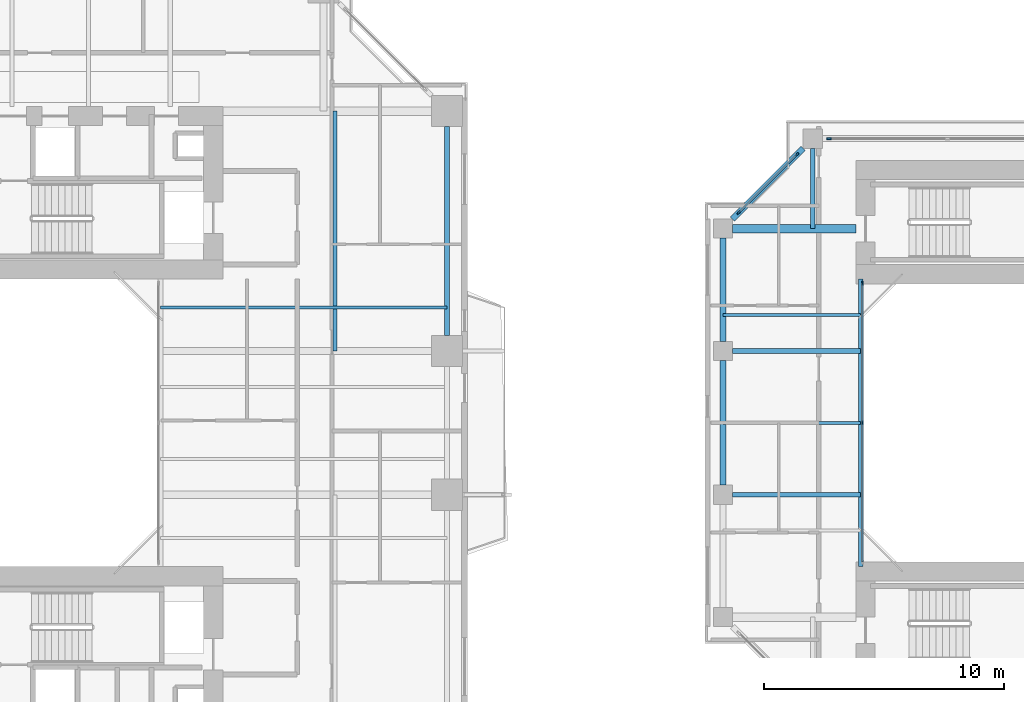
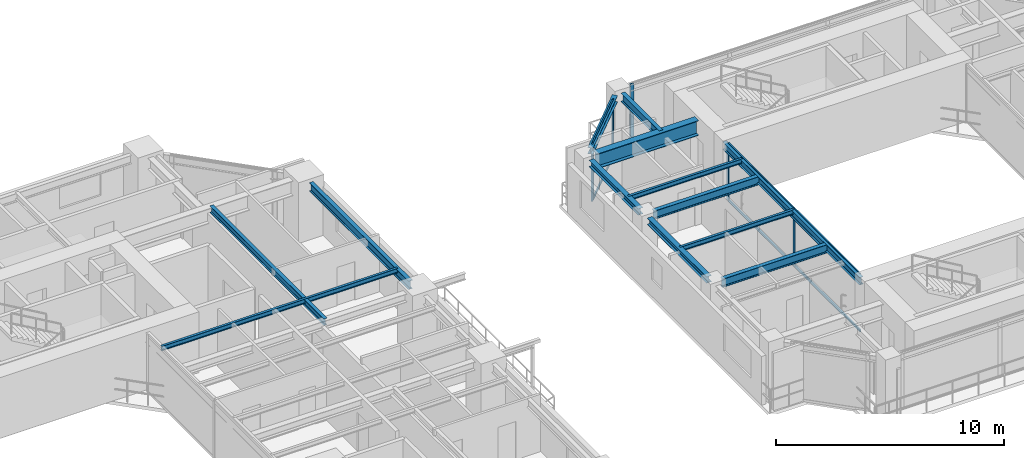
# One storey, part 8 of 23: 13 beams, 11 members, 3 elements without a shape of their own.
"""IFC4 building model written with IfcOpenShell, lengths in metres."""

import ifcopenshell
import ifcopenshell.guid

model = None  # the IFC model being written
_history = None  # IfcOwnerHistory: only IFC2X3 demands one
_inside = {}  # id of a spatial element -> (the spatial element, [elements in it])
_under = {}  # id of a project, library or spatial element -> (it, [spatial elements below it])
_declared = {}  # id of a project -> (the project, [libraries it declares])
_typed = {}  # id of a type object -> (the type object, [elements of that type])
_made_of = {}  # id of a material, layer set ... -> (it, [elements and type objects made of it])


def new_model(schema):
    """Start an empty IFC model of exactly this schema.

    Asked for "IFC4X3", IfcOpenShell would pick the latest addendum, in which some entities
    have other attributes; the version numbers below select the first issue.
    IFC2X3 requires an IfcOwnerHistory on every rooted entity: one is made here for all.
    """
    global model, _history
    if schema == "IFC4X3":
        model = ifcopenshell.file(schema_version=(4, 3, 0, 0))
    else:
        model = ifcopenshell.file(schema=schema)
    _inside.clear()
    _under.clear()
    _declared.clear()
    _typed.clear()
    _made_of.clear()
    _history = None
    if model.schema == "IFC2X3":
        org = make("IfcOrganization", Name="unknown")
        user = make(
            "IfcPersonAndOrganization",
            ThePerson=make("IfcPerson", FamilyName="unknown"),
            TheOrganization=org,
        )
        app = make(
            "IfcApplication",
            ApplicationDeveloper=org,
            Version="unknown",
            ApplicationFullName="unknown",
            ApplicationIdentifier="unknown",
        )
        _history = make(
            "IfcOwnerHistory",
            OwningUser=user,
            OwningApplication=app,
            ChangeAction="ADDED",
            CreationDate=0,
        )
    return model


def make(cls, **values):
    """One entity of the class cls with the attributes given. An attribute that is None is left unset."""
    return model.create_entity(
        cls, **{name: value for name, value in values.items() if value is not None}
    )


def rooted(cls, **values):
    """An entity with a GlobalId (a new one), such as an element, a storey or a relation."""
    return make(cls, GlobalId=ifcopenshell.guid.new(), OwnerHistory=_history, **values)


def si_unit(unit_type, name, prefix=None):
    """IfcSIUnit, for example si_unit("LENGTHUNIT", "METRE", prefix="MILLI")."""
    return make("IfcSIUnit", UnitType=unit_type, Prefix=prefix, Name=name)


def assignment(units):
    """IfcUnitAssignment: the units of a project."""
    return None if units is None else make("IfcUnitAssignment", Units=units)


def point(xyz):
    """IfcCartesianPoint."""
    return None if xyz is None else make("IfcCartesianPoint", Coordinates=xyz)


def direction(xyz):
    """IfcDirection."""
    return None if xyz is None else make("IfcDirection", DirectionRatios=xyz)


def frame(location, z_axis=None, x_axis=None):
    """IfcAxis2Placement3D, a coordinate frame: its origin and axes. An axis left out is left unset."""
    return make(
        "IfcAxis2Placement3D",
        Location=point(location),
        Axis=direction(z_axis),
        RefDirection=direction(x_axis),
    )


def frame_2d(location, x_axis=None):
    """IfcAxis2Placement2D, a coordinate frame in the plane: its origin and x axis."""
    return make(
        "IfcAxis2Placement2D", Location=point(location), RefDirection=direction(x_axis)
    )


def origin():
    """The frame at (0, 0, 0) with its axes left unset."""
    return frame((0.0, 0.0, 0.0))


def origin_2d():
    """The frame at (0, 0) in the plane with its x axis left unset."""
    return frame_2d((0.0, 0.0))


def place(relative_to, where):
    """IfcLocalPlacement: puts the frame where relative to a parent placement (None: the world)."""
    return make(
        "IfcLocalPlacement", PlacementRelTo=relative_to, RelativePlacement=where
    )


def context(
    kind, dimensions, precision=None, world=None, true_north=None, identifier=None
):
    """IfcGeometricRepresentationContext, for example the 3D "Model" context."""
    return make(
        "IfcGeometricRepresentationContext",
        ContextIdentifier=identifier,
        ContextType=kind,
        CoordinateSpaceDimension=dimensions,
        Precision=precision,
        WorldCoordinateSystem=world,
        TrueNorth=true_north,
    )


def subcontext(parent, identifier, kind, view, scale=None):
    """IfcGeometricRepresentationSubContext, for example "Body" below "Model"."""
    return make(
        "IfcGeometricRepresentationSubContext",
        ContextIdentifier=identifier,
        ContextType=kind,
        ParentContext=parent,
        TargetScale=scale,
        TargetView=view,
    )


def project(units=None, contexts=None):
    """IfcProject with its units and contexts."""
    return rooted(
        "IfcProject",
        Name="project",
        RepresentationContexts=contexts,
        UnitsInContext=assignment(units),
    )


def spatial(cls, under=None, at=None, **own):
    """A site, building, storey or space (cls), placed at a placement, below another one or the project."""
    s = rooted(cls, ObjectPlacement=at, **own)
    if under is not None:
        _under.setdefault(under.id(), (under, []))[1].append(s)
    return s


def profile(cls, at=None, kind="AREA", **sizes):
    """A parametric profile (cls). Its sizes go by their IFC names, for example OverallWidth=200.0."""
    return make(cls, ProfileType=kind, Position=at, **sizes)


def rectangle(**sizes):
    """IfcRectangleProfileDef."""
    return profile("IfcRectangleProfileDef", **sizes)


def i_section(**sizes):
    """IfcIShapeProfileDef."""
    return profile("IfcIShapeProfileDef", **sizes)


def extrude(swept, where, along, depth):
    """IfcExtrudedAreaSolid: the profile swept, set in the frame where, extruded along a direction by depth."""
    return make(
        "IfcExtrudedAreaSolid",
        SweptArea=swept,
        Position=where,
        ExtrudedDirection=direction(along),
        Depth=depth,
    )


def shape(context_of_items, identifier, shape_type, items):
    """IfcShapeRepresentation: the items that make up one representation, for example the "Body"."""
    return make(
        "IfcShapeRepresentation",
        ContextOfItems=context_of_items,
        RepresentationIdentifier=identifier,
        RepresentationType=shape_type,
        Items=items,
    )


def source(mapping_origin, context_of_items, identifier, shape_type, items):
    """IfcRepresentationMap: a shape defined once, which mapped items show again and again."""
    return make(
        "IfcRepresentationMap",
        MappingOrigin=mapping_origin,
        MappedRepresentation=shape(context_of_items, identifier, shape_type, items),
    )


def transform(
    local_origin,
    x_axis=None,
    y_axis=None,
    z_axis=None,
    scale=None,
    scale2=None,
    scale3=None,
    uniform=True,
):
    """IfcCartesianTransformationOperator3D, or its non-uniform kind. x_axis, y_axis, z_axis: its Axis1, 2, 3."""
    if uniform:
        return make(
            "IfcCartesianTransformationOperator3D",
            Axis1=direction(x_axis),
            Axis2=direction(y_axis),
            LocalOrigin=point(local_origin),
            Scale=scale,
            Axis3=direction(z_axis),
        )
    return make(
        "IfcCartesianTransformationOperator3DnonUniform",
        Axis1=direction(x_axis),
        Axis2=direction(y_axis),
        LocalOrigin=point(local_origin),
        Scale=scale,
        Axis3=direction(z_axis),
        Scale2=scale2,
        Scale3=scale3,
    )


def mapped(mapping_source, mapping_target):
    """IfcMappedItem: shows the shape of a source again, moved by a transform."""
    return make(
        "IfcMappedItem", MappingSource=mapping_source, MappingTarget=mapping_target
    )


def material(Name=None, Category=None):
    """IfcMaterial."""
    return make("IfcMaterial", Name=Name, Category=Category)


def layer(
    of_material, thickness, ventilated=None, Name=None, Category=None, Priority=None
):
    """IfcMaterialLayer: one layer of a wall or slab, of a material (None: an air gap)."""
    return make(
        "IfcMaterialLayer",
        Material=of_material,
        LayerThickness=thickness,
        IsVentilated=ventilated,
        Name=Name,
        Category=Category,
        Priority=Priority,
    )


def layer_set(layers, Name=None):
    """IfcMaterialLayerSet."""
    return make("IfcMaterialLayerSet", MaterialLayers=layers, LayerSetName=Name)


def material_profile(
    of_material, cross_section, Name=None, Category=None, Priority=None
):
    """IfcMaterialProfile: a cross section and its material."""
    return make(
        "IfcMaterialProfile",
        Name=Name,
        Material=of_material,
        Profile=cross_section,
        Priority=Priority,
        Category=Category,
    )


def profile_set(profiles, Name=None, composite=None):
    """IfcMaterialProfileSet."""
    return make(
        "IfcMaterialProfileSet",
        Name=Name,
        MaterialProfiles=profiles,
        CompositeProfile=composite,
    )


def made_of(thing, what):
    """Note that an element or type object is made of a material, layer set ...; save() writes the relation."""
    if what is not None:
        _made_of.setdefault(what.id(), (what, []))[1].append(thing)
    return thing


def type_object(cls, material=None, **own):
    """A type object (cls), such as IfcWallType, which elements share."""
    return made_of(rooted(cls, **own), material)


def element(
    cls,
    number,
    at=None,
    inside=None,
    cuts=None,
    type_object=None,
    material=None,
    context=None,
    identifier="Body",
    shape_type=None,
    held_by="IfcProductDefinitionShape",
    body=None,
    shapes=None,
    **own,
):
    """One element of the class cls, such as IfcWall. Its Tag is "e" and its number.

    at: its placement. inside: the storey or other place that contains it. cuts: it is an
    opening in that element (IfcRelVoidsElement). A single representation is given by context,
    identifier, shape_type and body (its items); several are given by shapes. held_by: the class
    of the entity that holds the representations. save() writes the other relations.
    """
    e = rooted(cls, Tag="e%d" % number, ObjectPlacement=at, **own)
    if body is not None:
        shapes = [shape(context, identifier, shape_type, body)]
    if shapes is not None:
        e.Representation = make(held_by, Representations=shapes)
    if inside is not None:
        _inside.setdefault(inside.id(), (inside, []))[1].append(e)
    if cuts is not None:
        rooted(
            "IfcRelVoidsElement", RelatingBuildingElement=cuts, RelatedOpeningElement=e
        )
    if type_object is not None:
        _typed.setdefault(type_object.id(), (type_object, []))[1].append(e)
    return made_of(e, material)


def aggregate(whole, parts):
    """IfcRelAggregates: a whole, such as a stair, and the parts it consists of."""
    return rooted("IfcRelAggregates", RelatingObject=whole, RelatedObjects=parts)


def save(model, path):
    """Write the relations noted so far, then the file.

    IfcRelAggregates (storeys below a building ...), IfcRelContainedInSpatialStructure (elements
    in a storey), IfcRelDefinesByType, IfcRelAssociatesMaterial and IfcRelDeclares: one each for
    every whole, place, type object, material and project.
    """
    for whole, parts in _under.values():
        aggregate(whole, parts)
    for where, things in _inside.values():
        rooted(
            "IfcRelContainedInSpatialStructure",
            RelatedElements=things,
            RelatingStructure=where,
        )
    for kind, things in _typed.values():
        rooted("IfcRelDefinesByType", RelatedObjects=things, RelatingType=kind)
    for what, things in _made_of.values():
        rooted("IfcRelAssociatesMaterial", RelatedObjects=things, RelatingMaterial=what)
    for by, libraries in _declared.values():
        rooted("IfcRelDeclares", RelatingContext=by, RelatedDefinitions=libraries)
    model.write(path)


model = new_model("IFC4")

# Units and contexts
model_context = context("Model", 3, precision=1e-05, world=origin(), true_north=direction((0.0, 1.0)))
body_context = subcontext(model_context, "Body", "Model", "MODEL_VIEW")
ifc_project = project(units=[si_unit("LENGTHUNIT", "METRE"), si_unit("AREAUNIT", "SQUARE_METRE"), si_unit("VOLUMEUNIT", "CUBIC_METRE"), si_unit("PLANEANGLEUNIT", "RADIAN"), si_unit("MASSUNIT", "GRAM", prefix="KILO"), si_unit("THERMODYNAMICTEMPERATUREUNIT", "KELVIN"), si_unit("POWERUNIT", "WATT")], contexts=[model_context])

# Site, building, storey
site_placement = place(None, origin())
site = spatial("IfcSite", under=ifc_project, at=site_placement, CompositionType="ELEMENT")
building_placement = place(site_placement, origin())
building = spatial("IfcBuilding", under=site, at=building_placement, Name="Qiaomeng Ring Towers", CompositionType="ELEMENT")
storey_placement = place(building_placement, frame((0.0, 0.0, 86.0)))
storey = spatial("IfcBuildingStorey", under=building, at=storey_placement, Name="L24", CompositionType="ELEMENT", Elevation=86.0)

# Beams
ifc_material_1 = material(Name="Steel Q355B", Category="steel")
ifc_material_profile_1 = material_profile(ifc_material_1, i_section(OverallWidth=0.199951171875, OverallDepth=0.449951171875, WebThickness=0.009033203125, FlangeThickness=0.013916015625, FilletRadius=0.01806640625, at=origin_2d()), Name="HN 450x200x9x14")
ifc_profile_set_1 = profile_set([ifc_material_profile_1], Name="Steel Q355B")
beam_type_1 = type_object("IfcBeamType", Name="STR-BM-HN450", PredefinedType="SPANDREL", material=ifc_profile_set_1)
shared_shape_1 = source(origin(), body_context, "Body", "SweptSolid", [
    extrude(i_section(OverallWidth=0.199951171875, OverallDepth=0.449951171875, WebThickness=0.009033203125, FlangeThickness=0.013916015625, FilletRadius=0.01806640625, at=origin_2d()), origin(), (0.0, 0.0, 1.0), 8.7021484375),
])
beam_1_placement = place(storey_placement, frame((37.14990234375, 26.64892578125, 2.844970703125), z_axis=(0.0, 1.0, 0.0), x_axis=(-1.0, 0.0, 0.0)))
element("IfcBeam", 1, at=beam_1_placement, inside=storey, type_object=beam_type_1, Name="L24 beam STR-SP-L24-T1-E3-E4", PredefinedType="SPANDREL", context=body_context, shape_type="MappedRepresentation", body=[
    mapped(shared_shape_1, transform((0.0, 0.0, 0.0), x_axis=(1.0, 0.0, 0.0), y_axis=(0.0, 1.0, 0.0), z_axis=(0.0, 0.0, 1.0), scale=1.0)),
])
ifc_material_profile_2 = material_profile(ifc_material_1, i_section(OverallWidth=0.199951171875, OverallDepth=0.39990234375, WebThickness=0.008056640625, FlangeThickness=0.012939453125, FilletRadius=0.01611328125, at=origin_2d()), Name="HN 400x200x8x13")
ifc_profile_set_2 = profile_set([ifc_material_profile_2], Name="Steel Q355B")
beam_type_2 = type_object("IfcBeamType", Name="STR-BM-HN400", PredefinedType="SPANDREL", material=ifc_profile_set_2)
shared_shape_2 = source(origin(), body_context, "Body", "SweptSolid", [
    extrude(i_section(OverallWidth=0.199951171875, OverallDepth=0.39990234375, WebThickness=0.008056640625, FlangeThickness=0.012939453125, FilletRadius=0.01611328125, at=origin_2d()), origin(), (0.0, 0.0, 1.0), 12.0),
])
beam_2_placement = place(storey_placement, frame((54.39990234375, 17.0, 2.8701171875), z_axis=(0.0, 1.0, 0.0), x_axis=(-1.0, 0.0, 0.0)))
element("IfcBeam", 2, at=beam_2_placement, inside=storey, type_object=beam_type_2, Name="L24 beam STR-BM-L24-T2-WELL-W", PredefinedType="SPANDREL", context=body_context, shape_type="MappedRepresentation", body=[
    mapped(shared_shape_2, transform((0.0, 0.0, 0.0), x_axis=(1.0, 0.0, 0.0), y_axis=(0.0, 1.0, 0.0), z_axis=(0.0, 0.0, 1.0), scale=1.0)),
])
ifc_material_profile_3 = material_profile(ifc_material_1, i_section(OverallWidth=0.125, OverallDepth=0.25, WebThickness=0.006103515625, FlangeThickness=0.009033203125, FilletRadius=0.011962890625, at=origin_2d()), Name="HN 250x125x6x9")
ifc_profile_set_3 = profile_set([ifc_material_profile_3], Name="Steel Q355B")
beam_type_3 = type_object("IfcBeamType", Name="STR-BM-HN250", PredefinedType="JOIST", material=ifc_profile_set_3)
shared_shape_3 = source(origin(), body_context, "Body", "SweptSolid", [
    extrude(i_section(OverallWidth=0.125, OverallDepth=0.25, WebThickness=0.006103515625, FlangeThickness=0.009033203125, FilletRadius=0.011962890625, at=origin_2d()), origin(), (0.0, 0.0, 1.0), 11.949951171875),
])
beam_3_placement = place(storey_placement, frame((25.199951171875, 27.800048828125, 2.945068359375), z_axis=(1.0, 0.0, 0.0), x_axis=(0.0, 1.0, 0.0)))
element("IfcBeam", 3, at=beam_3_placement, inside=storey, type_object=beam_type_3, Name="L24 beam STR-JST-L24-T1E-4", PredefinedType="JOIST", context=body_context, shape_type="MappedRepresentation", body=[
    mapped(shared_shape_3, transform((0.0, 0.0, 0.0), x_axis=(1.0, 0.0, 0.0), y_axis=(0.0, 1.0, 0.0), z_axis=(0.0, 0.0, 1.0), scale=1.0)),
])
ifc_material_profile_4 = material_profile(ifc_material_1, i_section(OverallWidth=0.175048828125, OverallDepth=0.35009765625, WebThickness=0.007080078125, FlangeThickness=0.010986328125, FilletRadius=0.013916015625, at=origin_2d()), Name="HN 350x175x7x11")
ifc_profile_set_4 = profile_set([ifc_material_profile_4], Name="Steel Q355B")
beam_type_4 = type_object("IfcBeamType", Name="STR-BM-HN350", PredefinedType="JOIST", material=ifc_profile_set_4)
shared_shape_4 = source(origin(), body_context, "Body", "SweptSolid", [
    extrude(i_section(OverallWidth=0.175048828125, OverallDepth=0.35009765625, WebThickness=0.007080078125, FlangeThickness=0.010986328125, FilletRadius=0.013916015625, at=origin_2d()), origin(), (0.0, 0.0, 1.0), 10.0),
])
beam_4_placement = place(storey_placement, frame((32.47509765625, 26.0, 2.89501953125), z_axis=(0.0, 1.0, 0.0), x_axis=(-1.0, 0.0, 0.0)))
element("IfcBeam", 4, at=beam_4_placement, inside=storey, type_object=beam_type_4, Name="L24 beam STR-JST-L24-T1C-EN", PredefinedType="JOIST", context=body_context, shape_type="MappedRepresentation", body=[
    mapped(shared_shape_4, transform((0.0, 0.0, 0.0), x_axis=(1.0, 0.0, 0.0), y_axis=(0.0, 1.0, 0.0), z_axis=(0.0, 0.0, 1.0), scale=1.0)),
])
ifc_material_profile_5 = material_profile(ifc_material_1, i_section(OverallWidth=0.25, OverallDepth=0.340087890625, WebThickness=0.009033203125, FlangeThickness=0.013916015625, FilletRadius=0.02001953125, at=origin_2d()), Name="HM 340x250x9x14")
ifc_profile_set_5 = profile_set([ifc_material_profile_5], Name="Steel Q355B")
beam_type_5 = type_object("IfcBeamType", Name="STR-BM-HM340", PredefinedType="SPANDREL", material=ifc_profile_set_5)
shared_shape_5 = source(origin(), body_context, "Body", "SweptSolid", [
    extrude(i_section(OverallWidth=0.25, OverallDepth=0.340087890625, WebThickness=0.009033203125, FlangeThickness=0.013916015625, FilletRadius=0.02001953125, at=origin_2d()), origin(), (0.0, 0.0, 1.0), 4.173828125),
])
beam_5_placement = place(storey_placement, frame((52.000732421875, 34.45068359375, 2.89990234375), z_axis=(-0.707106781187, -0.707106781187, 0.0), x_axis=(0.707106781187, -0.707106781187, 0.0)))
element("IfcBeam", 5, at=beam_5_placement, inside=storey, type_object=beam_type_5, Name="L24 beam STR-SP-L24-T2-N1-W4", PredefinedType="SPANDREL", context=body_context, shape_type="MappedRepresentation", body=[
    mapped(shared_shape_5, transform((0.0, 0.0, 0.0), x_axis=(1.0, 0.0, 0.0), y_axis=(0.0, 1.0, 0.0), z_axis=(0.0, 0.0, 1.0), scale=1.0)),
])
shared_shape_6 = source(origin(), body_context, "Body", "SweptSolid", [
    extrude(i_section(OverallWidth=0.25, OverallDepth=0.340087890625, WebThickness=0.009033203125, FlangeThickness=0.013916015625, FilletRadius=0.02001953125, at=origin_2d()), origin(), (0.0, 0.0, 1.0), 4.302001953125),
])
beam_6_placement = place(storey_placement, frame((48.64990234375, 30.700927734375, 2.89990234375), z_axis=(0.0, -1.0, 0.0), x_axis=(1.0, 0.0, 0.0)))
element("IfcBeam", 6, at=beam_6_placement, inside=storey, type_object=beam_type_5, Name="L24 beam STR-SP-L24-T2-W4-W3", PredefinedType="SPANDREL", context=body_context, shape_type="MappedRepresentation", body=[
    mapped(shared_shape_6, transform((0.0, 0.0, 0.0), x_axis=(1.0, 0.0, 0.0), y_axis=(0.0, 1.0, 0.0), z_axis=(0.0, 0.0, 1.0), scale=1.0)),
])
shared_shape_7 = source(origin(), body_context, "Body", "SweptSolid", [
    extrude(i_section(OverallWidth=0.25, OverallDepth=0.340087890625, WebThickness=0.009033203125, FlangeThickness=0.013916015625, FilletRadius=0.02001953125, at=origin_2d()), origin(), (0.0, 0.0, 1.0), 5.2021484375),
])
beam_7_placement = place(storey_placement, frame((48.64990234375, 25.60107421875, 2.89990234375), z_axis=(0.0, -1.0, 0.0), x_axis=(1.0, 0.0, 0.0)))
element("IfcBeam", 7, at=beam_7_placement, inside=storey, type_object=beam_type_5, Name="L24 beam STR-SP-L24-T2-W3-W2", PredefinedType="SPANDREL", context=body_context, shape_type="MappedRepresentation", body=[
    mapped(shared_shape_7, transform((0.0, 0.0, 0.0), x_axis=(1.0, 0.0, 0.0), y_axis=(0.0, 1.0, 0.0), z_axis=(0.0, 0.0, 1.0), scale=1.0)),
])
ifc_material_2 = material(Name="Steel Q390GJC", Category="steel")
ifc_material_profile_6 = material_profile(ifc_material_2, i_section(OverallWidth=0.35009765625, OverallDepth=0.800048828125, WebThickness=0.01611328125, FlangeThickness=0.028076171875, at=origin_2d()), Name="WH 800x350x16x28")
ifc_profile_set_6 = profile_set([ifc_material_profile_6], Name="Steel Q390GJC")
beam_type_6 = type_object("IfcBeamType", Name="STR-BM-WH800", PredefinedType="BEAM", material=ifc_profile_set_6)
shared_shape_8 = source(origin(), body_context, "Body", "SweptSolid", [
    extrude(i_section(OverallWidth=0.35009765625, OverallDepth=0.800048828125, WebThickness=0.01611328125, FlangeThickness=0.028076171875, at=origin_2d()), origin(), (0.0, 0.0, 1.0), 5.15087890625),
])
beam_8_placement = place(storey_placement, frame((49.049072265625, 31.10009765625, 2.669921875), z_axis=(1.0, 0.0, 0.0), x_axis=(0.0, 1.0, 0.0)))
element("IfcBeam", 8, at=beam_8_placement, inside=storey, type_object=beam_type_6, Name="L24 beam STR-BM-L24-T2-RAD-W4", PredefinedType="BEAM", context=body_context, shape_type="MappedRepresentation", body=[
    mapped(shared_shape_8, transform((0.0, 0.0, 0.0), x_axis=(1.0, 0.0, 0.0), y_axis=(0.0, 1.0, 0.0), z_axis=(0.0, 0.0, 1.0), scale=1.0)),
])
shared_shape_9 = source(origin(), body_context, "Body", "SweptSolid", [
    extrude(i_section(OverallWidth=0.199951171875, OverallDepth=0.449951171875, WebThickness=0.009033203125, FlangeThickness=0.013916015625, FilletRadius=0.01806640625, at=origin_2d()), origin(), (0.0, 0.0, 1.0), 5.350830078125),
])
for number, where, z_axis, x_axis, name in (
    (9, (49.049072265625, 20.0, 2.844970703125), (1.0, 0.0, 0.0), (0.0, 1.0, 0.0), "L24 beam STR-BM-L24-T2-RAD-W2"),
    (10, (49.049072265625, 26.0, 2.844970703125), (1.0, 0.0, 0.0), (0.0, 1.0, 0.0), "L24 beam STR-BM-L24-T2-RAD-W3"),
):
    element("IfcBeam", number, at=place(storey_placement, frame(where, z_axis=z_axis, x_axis=x_axis)), inside=storey, type_object=beam_type_1, Name=name, PredefinedType="SPANDREL", context=body_context, shape_type="MappedRepresentation", body=[
        mapped(shared_shape_9, transform((0.0, 0.0, 0.0), x_axis=(1.0, 0.0, 0.0), y_axis=(0.0, 1.0, 0.0), z_axis=(0.0, 0.0, 1.0), scale=1.0)),
    ])
shared_shape_10 = source(origin(), body_context, "Body", "SweptSolid", [
    extrude(i_section(OverallWidth=0.199951171875, OverallDepth=0.449951171875, WebThickness=0.009033203125, FlangeThickness=0.013916015625, FilletRadius=0.01806640625, at=origin_2d()), origin(), (0.0, 0.0, 1.0), 3.350830078125),
])
beam_9_placement = place(storey_placement, frame((52.39990234375, 34.450927734375, 2.844970703125), z_axis=(0.0, -1.0, 0.0), x_axis=(1.0, 0.0, 0.0)))
element("IfcBeam", 11, at=beam_9_placement, inside=storey, type_object=beam_type_1, Name="L24 beam STR-BM-L24-T2-RAD-N1", PredefinedType="SPANDREL", context=body_context, shape_type="MappedRepresentation", body=[
    mapped(shared_shape_10, transform((0.0, 0.0, 0.0), x_axis=(1.0, 0.0, 0.0), y_axis=(0.0, 1.0, 0.0), z_axis=(0.0, 0.0, 1.0), scale=1.0)),
])
shared_shape_11 = source(origin(), body_context, "Body", "SweptSolid", [
    extrude(i_section(OverallWidth=0.125, OverallDepth=0.25, WebThickness=0.006103515625, FlangeThickness=0.009033203125, FilletRadius=0.011962890625, at=origin_2d()), origin(), (0.0, 0.0, 1.0), 5.75),
])
for number, where, z_axis, x_axis, name in (
    (12, (48.64990234375, 23.0, 2.945068359375), (1.0, 0.0, 0.0), (0.0, 1.0, 0.0), "L24 beam STR-JST-L24-T2W-2"),
    (13, (48.64990234375, 27.5, 2.945068359375), (1.0, 0.0, 0.0), (0.0, 1.0, 0.0), "L24 beam STR-JST-L24-T2W-3"),
):
    element("IfcBeam", number, at=place(storey_placement, frame(where, z_axis=z_axis, x_axis=x_axis)), inside=storey, type_object=beam_type_3, Name=name, PredefinedType="JOIST", context=body_context, shape_type="MappedRepresentation", body=[
        mapped(shared_shape_11, transform((0.0, 0.0, 0.0), x_axis=(1.0, 0.0, 0.0), y_axis=(0.0, 1.0, 0.0), z_axis=(0.0, 0.0, 1.0), scale=1.0)),
    ])

# Curtain wall, members
ifc_material_3 = material(Name="Fluorocarbon dark-grey aluminium", Category="aluminium")
ifc_layer_1 = layer(ifc_material_3, 0.139892578125, Name="Fluorocarbon dark-grey aluminium")
ifc_layer_set_1 = layer_set([ifc_layer_1], Name="Fluorocarbon dark-grey aluminium")
curtain_wall_type_1 = type_object("IfcCurtainWallType", Name="ARC-CW-4", PredefinedType="NOTDEFINED", material=ifc_layer_set_1)
curtain_wall_1_placement = place(storey_placement, origin())
curtain_wall_1 = element("IfcCurtainWall", 14, at=curtain_wall_1_placement, inside=storey, type_object=curtain_wall_type_1, Name="L24 Curtain Wall CW4", PredefinedType="NOTDEFINED")
ifc_material_profile_7 = material_profile(ifc_material_3, rectangle(XDim=0.06494140625, YDim=0.159912109375, at=origin_2d()), Name="ALU MULL 65x160")
ifc_profile_set_7 = profile_set([ifc_material_profile_7], Name="Fluorocarbon dark-grey aluminium")
member_type_1 = type_object("IfcMemberType", Name="ARC-CWM-140", PredefinedType="MULLION", material=ifc_profile_set_7)
shared_shape_12 = source(origin(), body_context, "Body", "SweptSolid", [
    extrude(rectangle(XDim=0.06494140625, YDim=0.159912109375, at=origin_2d()), origin(), (0.0, 0.0, 1.0), 3.070068359375),
])
member_1_placement = place(storey_placement, frame((54.47998046875, 23.0, 0.0), z_axis=(0.0, 0.0, 1.0), x_axis=(-1.0, 0.0, 0.0)))
member_1 = element("IfcMember", 15, at=member_1_placement, type_object=member_type_1, Name="CW4 mullion 2", PredefinedType="MULLION", context=body_context, shape_type="MappedRepresentation", body=[
    mapped(shared_shape_12, transform((0.0, 0.0, 0.0), x_axis=(1.0, 0.0, 0.0), y_axis=(0.0, 1.0, 0.0), z_axis=(0.0, 0.0, 1.0), scale=1.0)),
])
member_2_placement = place(storey_placement, frame((54.47998046875, 28.8173828125, 0.0), z_axis=(0.0, 0.0, 1.0), x_axis=(-1.0, 0.0, 0.0)))
member_2 = element("IfcMember", 16, at=member_2_placement, type_object=member_type_1, Name="CW4 mullion 3", PredefinedType="MULLION", context=body_context, shape_type="MappedRepresentation", body=[
    mapped(shared_shape_12, transform((0.0, 0.0, 0.0), x_axis=(1.0, 0.0, 0.0), y_axis=(0.0, 1.0, 0.0), z_axis=(0.0, 0.0, 1.0), scale=1.0)),
])
ifc_material_profile_8 = material_profile(ifc_material_3, rectangle(XDim=0.06494140625, YDim=0.1298828125, at=origin_2d()), Name="ALU TRAN 65x130")
ifc_profile_set_8 = profile_set([ifc_material_profile_8], Name="Fluorocarbon dark-grey aluminium")
member_type_2 = type_object("IfcMemberType", Name="ARC-CWT-120", PredefinedType="USERDEFINED", material=ifc_profile_set_8)
shared_shape_13 = source(origin(), body_context, "Body", "SweptSolid", [
    extrude(rectangle(XDim=0.06494140625, YDim=0.1298828125, at=origin_2d()), origin(), (0.0, 0.0, 1.0), 5.75244140625),
])
member_3_placement = place(storey_placement, frame((54.47998046875, 17.215087890625, 0.032470703125), z_axis=(0.0, 1.0, 0.0), x_axis=(-1.0, 0.0, 0.0)))
member_3 = element("IfcMember", 17, at=member_3_placement, type_object=member_type_2, Name="CW4 transom 1.1", ObjectType="TRANSOM", PredefinedType="USERDEFINED", context=body_context, shape_type="MappedRepresentation", body=[
    mapped(shared_shape_13, transform((0.0, 0.0, 0.0), x_axis=(1.0, 0.0, 0.0), y_axis=(0.0, 1.0, 0.0), z_axis=(0.0, 0.0, 1.0), scale=1.0)),
])
member_4_placement = place(storey_placement, frame((54.47998046875, 17.215087890625, 3.03759765625), z_axis=(0.0, 1.0, 0.0), x_axis=(-1.0, 0.0, 0.0)))
member_4 = element("IfcMember", 18, at=member_4_placement, type_object=member_type_2, Name="CW4 transom 1.2", ObjectType="TRANSOM", PredefinedType="USERDEFINED", context=body_context, shape_type="MappedRepresentation", body=[
    mapped(shared_shape_13, transform((0.0, 0.0, 0.0), x_axis=(1.0, 0.0, 0.0), y_axis=(0.0, 1.0, 0.0), z_axis=(0.0, 0.0, 1.0), scale=1.0)),
])
member_5_placement = place(storey_placement, frame((54.47998046875, 23.032470703125, 0.032470703125), z_axis=(0.0, 1.0, 0.0), x_axis=(-1.0, 0.0, 0.0)))
member_5 = element("IfcMember", 19, at=member_5_placement, type_object=member_type_2, Name="CW4 transom 2.1", ObjectType="TRANSOM", PredefinedType="USERDEFINED", context=body_context, shape_type="MappedRepresentation", body=[
    mapped(shared_shape_13, transform((0.0, 0.0, 0.0), x_axis=(1.0, 0.0, 0.0), y_axis=(0.0, 1.0, 0.0), z_axis=(0.0, 0.0, 1.0), scale=1.0)),
])
member_6_placement = place(storey_placement, frame((54.47998046875, 23.032470703125, 3.03759765625), z_axis=(0.0, 1.0, 0.0), x_axis=(-1.0, 0.0, 0.0)))
member_6 = element("IfcMember", 20, at=member_6_placement, type_object=member_type_2, Name="CW4 transom 2.2", ObjectType="TRANSOM", PredefinedType="USERDEFINED", context=body_context, shape_type="MappedRepresentation", body=[
    mapped(shared_shape_13, transform((0.0, 0.0, 0.0), x_axis=(1.0, 0.0, 0.0), y_axis=(0.0, 1.0, 0.0), z_axis=(0.0, 0.0, 1.0), scale=1.0)),
])
aggregate(curtain_wall_1, [member_1, member_2, member_3, member_4, member_5, member_6])

# Curtain wall, member
ifc_layer_2 = layer(ifc_material_3, 0.14990234375, Name="Fluorocarbon dark-grey aluminium")
ifc_layer_set_2 = layer_set([ifc_layer_2], Name="Fluorocarbon dark-grey aluminium")
curtain_wall_type_2 = type_object("IfcCurtainWallType", Name="ARC-CW-5", PredefinedType="NOTDEFINED", material=ifc_layer_set_2)
curtain_wall_2_placement = place(storey_placement, origin())
curtain_wall_2 = element("IfcCurtainWall", 21, at=curtain_wall_2_placement, inside=storey, type_object=curtain_wall_type_2, Name="L24 Curtain Wall CW5", PredefinedType="NOTDEFINED")
ifc_material_profile_9 = material_profile(ifc_material_3, rectangle(XDim=0.070068359375, YDim=0.179931640625, at=origin_2d()), Name="ALU MULL 70x180")
ifc_profile_set_9 = profile_set([ifc_material_profile_9], Name="Fluorocarbon dark-grey aluminium")
member_type_3 = type_object("IfcMemberType", Name="ARC-CWM-160", PredefinedType="MULLION", material=ifc_profile_set_9)
shared_shape_14 = source(origin(), body_context, "Body", "SweptSolid", [
    extrude(rectangle(XDim=0.070068359375, YDim=0.179931640625, at=origin_2d()), origin(), (0.0, 0.0, 1.0), 3.070068359375),
])
member_7_placement = place(storey_placement, frame((53.074951171875, 34.85009765625, 0.0), z_axis=(0.0, 0.0, 1.0), x_axis=(0.0, 1.0, 0.0)))
member_7 = element("IfcMember", 22, at=member_7_placement, type_object=member_type_3, Name="CW5 mullion 1", PredefinedType="MULLION", context=body_context, shape_type="MappedRepresentation", body=[
    mapped(shared_shape_14, transform((0.0, 0.0, 0.0), x_axis=(1.0, 0.0, 0.0), y_axis=(0.0, 1.0, 0.0), z_axis=(0.0, 0.0, 1.0), scale=1.0)),
])
aggregate(curtain_wall_2, [member_7])

# Curtain wall, members
curtain_wall_3_placement = place(storey_placement, origin())
curtain_wall_3 = element("IfcCurtainWall", 23, at=curtain_wall_3_placement, inside=storey, type_object=curtain_wall_type_2, Name="L24 Curtain Wall CW5", PredefinedType="NOTDEFINED")
member_8_placement = place(storey_placement, frame((51.7353515625, 34.185302734375, 0.0), z_axis=(0.0, 0.0, 1.0), x_axis=(0.707106781187, -0.707106781187, 0.0)))
member_8 = element("IfcMember", 24, at=member_8_placement, type_object=member_type_3, Name="CW5 mullion 1", PredefinedType="MULLION", context=body_context, shape_type="MappedRepresentation", body=[
    mapped(shared_shape_14, transform((0.0, 0.0, 0.0), x_axis=(1.0, 0.0, 0.0), y_axis=(0.0, 1.0, 0.0), z_axis=(0.0, 0.0, 1.0), scale=1.0)),
])
member_9_placement = place(storey_placement, frame((49.314697265625, 31.7646484375, 0.0), z_axis=(0.0, 0.0, 1.0), x_axis=(0.707106781187, -0.707106781187, 0.0)))
member_9 = element("IfcMember", 25, at=member_9_placement, type_object=member_type_3, Name="CW5 mullion 2", PredefinedType="MULLION", context=body_context, shape_type="MappedRepresentation", body=[
    mapped(shared_shape_14, transform((0.0, 0.0, 0.0), x_axis=(1.0, 0.0, 0.0), y_axis=(0.0, 1.0, 0.0), z_axis=(0.0, 0.0, 1.0), scale=1.0)),
])
shared_shape_15 = source(origin(), body_context, "Body", "SweptSolid", [
    extrude(rectangle(XDim=0.06494140625, YDim=0.1298828125, at=origin_2d()), origin(), (0.0, 0.0, 1.0), 3.352783203125),
])
member_10_placement = place(storey_placement, frame((51.71044921875, 34.160400390625, 0.032470703125), z_axis=(-0.707106781187, -0.707106781187, 0.0), x_axis=(0.707106781187, -0.707106781187, 0.0)))
member_10 = element("IfcMember", 26, at=member_10_placement, type_object=member_type_2, Name="CW5 transom 1.1", ObjectType="TRANSOM", PredefinedType="USERDEFINED", context=body_context, shape_type="MappedRepresentation", body=[
    mapped(shared_shape_15, transform((0.0, 0.0, 0.0), x_axis=(1.0, 0.0, 0.0), y_axis=(0.0, 1.0, 0.0), z_axis=(0.0, 0.0, 1.0), scale=1.0)),
])
member_11_placement = place(storey_placement, frame((51.71044921875, 34.160400390625, 3.03759765625), z_axis=(-0.707106781187, -0.707106781187, 0.0), x_axis=(0.707106781187, -0.707106781187, 0.0)))
member_11 = element("IfcMember", 27, at=member_11_placement, type_object=member_type_2, Name="CW5 transom 1.2", ObjectType="TRANSOM", PredefinedType="USERDEFINED", context=body_context, shape_type="MappedRepresentation", body=[
    mapped(shared_shape_15, transform((0.0, 0.0, 0.0), x_axis=(1.0, 0.0, 0.0), y_axis=(0.0, 1.0, 0.0), z_axis=(0.0, 0.0, 1.0), scale=1.0)),
])
aggregate(curtain_wall_3, [member_8, member_9, member_10, member_11])

save(model, "model.ifc")
